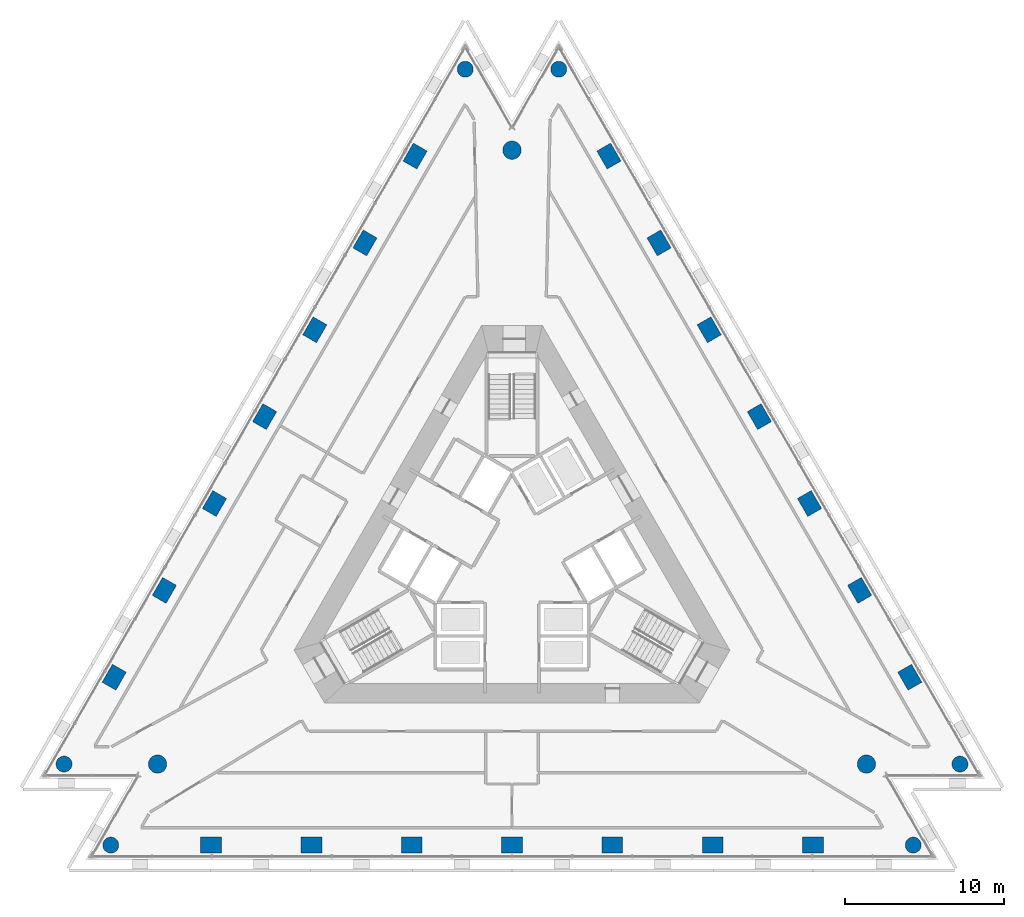
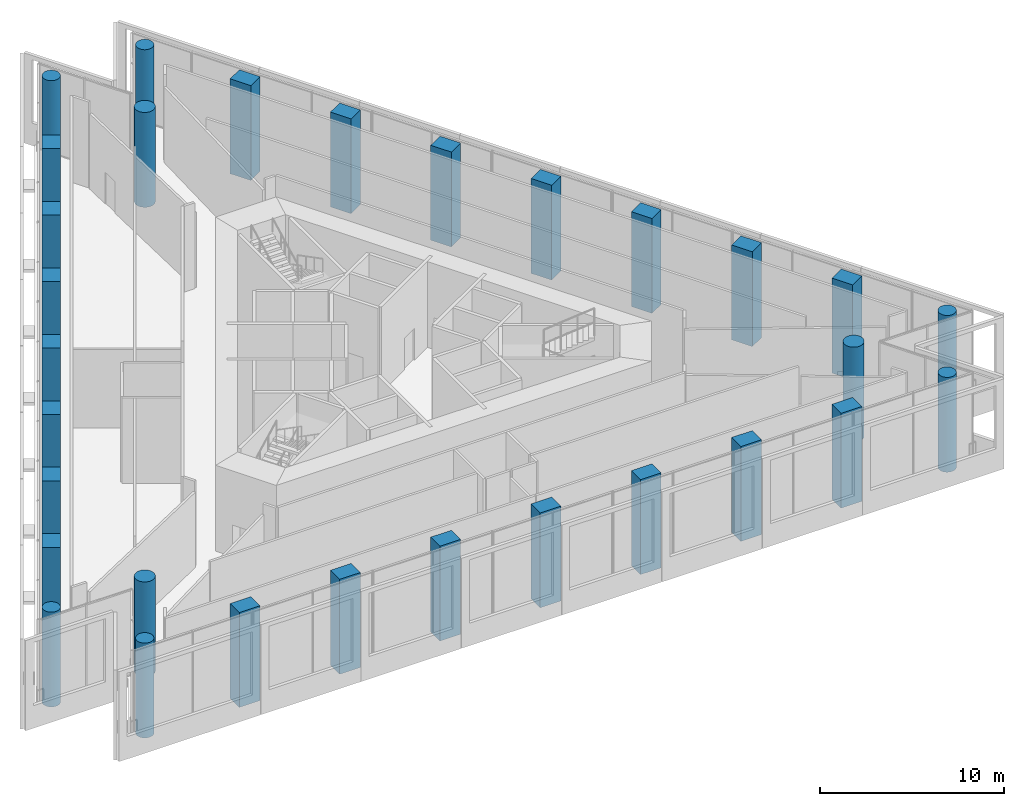
# One storey, part 1 of 18: 30 columns.
"""IFC4 building model written with IfcOpenShell, lengths in metres."""

from ifc_helpers import new_model, si_unit, direction, frame, origin, origin_2d, place, context, subcontext, project, spatial, rectangle, circle, extrude, material, material_profile, profile_set, type_object, element, save


model = new_model("IFC4")

# Units and contexts
model_context = context("Model", 3, precision=1e-05, world=origin(), true_north=direction((0.0, 1.0)))
body_context = subcontext(model_context, "Body", "Model", "MODEL_VIEW")
ifc_project = project(units=[si_unit("LENGTHUNIT", "METRE"), si_unit("AREAUNIT", "SQUARE_METRE"), si_unit("VOLUMEUNIT", "CUBIC_METRE"), si_unit("PLANEANGLEUNIT", "RADIAN"), si_unit("MASSUNIT", "GRAM", prefix="KILO")], contexts=[model_context])

# Site, building, storey
site_placement = place(None, origin())
site = spatial("IfcSite", under=ifc_project, at=site_placement, CompositionType="ELEMENT")
building_placement = place(site_placement, origin())
building = spatial("IfcBuilding", under=site, at=building_placement, Name="Triada Interchange Tower", CompositionType="ELEMENT")
storey_placement = place(building_placement, frame((0.0, 0.0, 185.300048828125)))
storey = spatial("IfcBuildingStorey", under=building, at=storey_placement, Name="L43", CompositionType="ELEMENT", Elevation=185.300048828125)

# Columns
ifc_material = material(Name="Concrete C60/75", Category="concrete")
ifc_material_profile_1 = material_profile(ifc_material, rectangle(XDim=1.300048828125, YDim=1.0, at=origin_2d()), Name="RC 1300x1000")
ifc_profile_set_1 = profile_set([ifc_material_profile_1], Name="Concrete C60/75")
column_type_1 = type_object("IfcColumnType", Name="Column B face RC 1300x1000", PredefinedType="COLUMN", material=ifc_profile_set_1)
for number, where, z_axis, x_axis, name in (
    (1, (-6.0869140625, 25.339111328125, -0.60009765625), (0.0, 0.0, 1.0), (0.5, 0.866025403784, 0.0), "Column CB02 L43"),
    (2, (-9.237060546875, 19.883056640625, -0.60009765625), (0.0, 0.0, 1.0), (0.5, 0.866025403784, 0.0), "Column CB03 L43"),
    (3, (-12.386962890625, 14.427001953125, -0.60009765625), (0.0, 0.0, 1.0), (0.5, 0.866025403784, 0.0), "Column CB04 L43"),
    (4, (-15.5380859375, 8.970947265625, -0.60009765625), (0.0, 0.0, 1.0), (0.5, 0.866025403784, 0.0), "Column CB05 L43"),
    (5, (-18.68798828125, 3.513916015625, -0.60009765625), (0.0, 0.0, 1.0), (0.5, 0.866025403784, 0.0), "Column CB06 L43"),
    (6, (-21.837890625, -1.94189453125, -0.60009765625), (0.0, 0.0, 1.0), (0.5, 0.866025403784, 0.0), "Column CB07 L43"),
    (7, (-24.988037109375, -7.39794921875, -0.60009765625), (0.0, 0.0, 1.0), (0.5, 0.866025403784, 0.0), "Column CB08 L43"),
    (8, (-18.90087890625, -17.94091796875, -0.60009765625), (0.0, 0.0, 1.0), (1.0, 0.0, 0.0), "Column CB11 L43"),
    (9, (-12.60009765625, -17.94091796875, -0.60009765625), (0.0, 0.0, 1.0), (1.0, 0.0, 0.0), "Column CB12 L43"),
    (10, (-6.300048828125, -17.94091796875, -0.60009765625), (0.0, 0.0, 1.0), (1.0, 0.0, 0.0), "Column CB13 L43"),
    (11, (0.0, -17.94091796875, -0.60009765625), (0.0, 0.0, 1.0), (1.0, 0.0, 0.0), "Column CB14 L43"),
    (12, (6.300048828125, -17.94091796875, -0.60009765625), (0.0, 0.0, 1.0), (1.0, 0.0, 0.0), "Column CB15 L43"),
    (13, (12.60107421875, -17.94091796875, -0.60009765625), (0.0, 0.0, 1.0), (1.0, 0.0, 0.0), "Column CB16 L43"),
    (14, (18.90087890625, -17.94091796875, -0.60009765625), (0.0, 0.0, 1.0), (1.0, 0.0, 0.0), "Column CB17 L43"),
    (15, (24.988037109375, -7.39794921875, -0.60009765625), (0.0, 0.0, 1.0), (-0.5, 0.866025403784, 0.0), "Column CB20 L43"),
    (16, (21.837890625, -1.94189453125, -0.60009765625), (0.0, 0.0, 1.0), (-0.5, 0.866025403784, 0.0), "Column CB21 L43"),
    (17, (18.68798828125, 3.513916015625, -0.60009765625), (0.0, 0.0, 1.0), (-0.5, 0.866025403784, 0.0), "Column CB22 L43"),
    (18, (15.5380859375, 8.970947265625, -0.60009765625), (0.0, 0.0, 1.0), (-0.5, 0.866025403784, 0.0), "Column CB23 L43"),
    (19, (12.386962890625, 14.427001953125, -0.60009765625), (0.0, 0.0, 1.0), (-0.5, 0.866025403784, 0.0), "Column CB24 L43"),
    (20, (9.237060546875, 19.883056640625, -0.60009765625), (0.0, 0.0, 1.0), (-0.5, 0.866025403784, 0.0), "Column CB25 L43"),
    (21, (6.0869140625, 25.339111328125, -0.60009765625), (0.0, 0.0, 1.0), (-0.5, 0.866025403784, 0.0), "Column CB26 L43"),
):
    element("IfcColumn", number, at=place(storey_placement, frame(where, z_axis=z_axis, x_axis=x_axis)), inside=storey, type_object=column_type_1, Name=name, PredefinedType="COLUMN", context=body_context, shape_type="SweptSolid", body=[
        extrude(rectangle(XDim=1.300048828125, YDim=1.0, at=origin_2d()), origin(), (0.0, 0.0, 1.0), 6.300048828125),
    ])
ifc_material_profile_2 = material_profile(ifc_material, circle(Radius=0.5, at=origin_2d()), Name="RC D1000")
ifc_profile_set_2 = profile_set([ifc_material_profile_2], Name="Concrete C60/75")
column_type_2 = type_object("IfcColumnType", Name="End column B RC D1000", PredefinedType="COLUMN", material=ifc_profile_set_2)
for number, where, z_axis, x_axis, name in (
    (22, (-2.93701171875, 30.794921875, -0.60009765625), (0.0, 0.0, 1.0), (0.5, 0.866025403784, 0.0), "Column CB01 L43"),
    (23, (-28.137939453125, -12.85400390625, -0.60009765625), (0.0, 0.0, 1.0), (0.5, 0.866025403784, 0.0), "Column CB09 L43"),
    (24, (-25.200927734375, -17.94091796875, -0.60009765625), (0.0, 0.0, 1.0), (1.0, 0.0, 0.0), "Column CB10 L43"),
    (25, (25.200927734375, -17.94091796875, -0.60009765625), (0.0, 0.0, 1.0), (1.0, 0.0, 0.0), "Column CB18 L43"),
    (26, (28.137939453125, -12.85400390625, -0.60009765625), (0.0, 0.0, 1.0), (-0.5, 0.866025403784, 0.0), "Column CB19 L43"),
    (27, (2.93701171875, 30.794921875, -0.60009765625), (0.0, 0.0, 1.0), (-0.5, 0.866025403784, 0.0), "Column CB27 L43"),
):
    element("IfcColumn", number, at=place(storey_placement, frame(where, z_axis=z_axis, x_axis=x_axis)), inside=storey, type_object=column_type_2, Name=name, PredefinedType="COLUMN", context=body_context, shape_type="SweptSolid", body=[
        extrude(circle(Radius=0.5, at=origin_2d()), origin(), (0.0, 0.0, 1.0), 6.300048828125),
    ])
ifc_material_profile_3 = material_profile(ifc_material, circle(Radius=0.574951171875, at=origin_2d()), Name="RC D1150")
ifc_profile_set_3 = profile_set([ifc_material_profile_3], Name="Concrete C60/75")
column_type_3 = type_object("IfcColumnType", Name="Mega column B RC D1150", PredefinedType="COLUMN", material=ifc_profile_set_3)
for number, where, z_axis, x_axis, name in (
    (28, (0.0, 25.7080078125, -0.60009765625), (0.0, 0.0, 1.0), (1.0, 0.0, 0.0), "Column MB1 L43"),
    (29, (-22.263916015625, -12.85400390625, -0.60009765625), (0.0, 0.0, 1.0), (1.0, 0.0, 0.0), "Column MB2 L43"),
    (30, (22.263916015625, -12.85400390625, -0.60009765625), (0.0, 0.0, 1.0), (1.0, 0.0, 0.0), "Column MB3 L43"),
):
    element("IfcColumn", number, at=place(storey_placement, frame(where, z_axis=z_axis, x_axis=x_axis)), inside=storey, type_object=column_type_3, Name=name, PredefinedType="COLUMN", context=body_context, shape_type="SweptSolid", body=[
        extrude(circle(Radius=0.574951171875, at=origin_2d()), origin(), (0.0, 0.0, 1.0), 6.300048828125),
    ])

save(model, "model.ifc")
